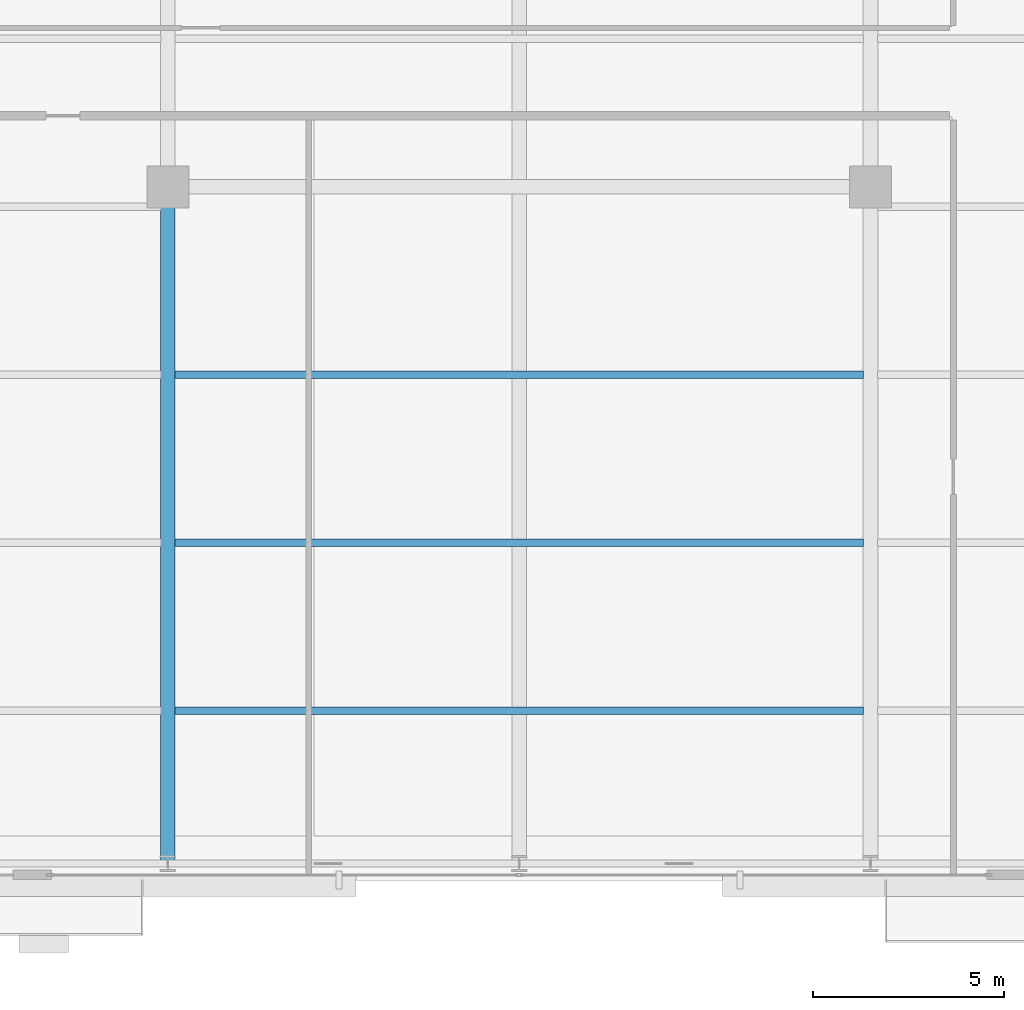
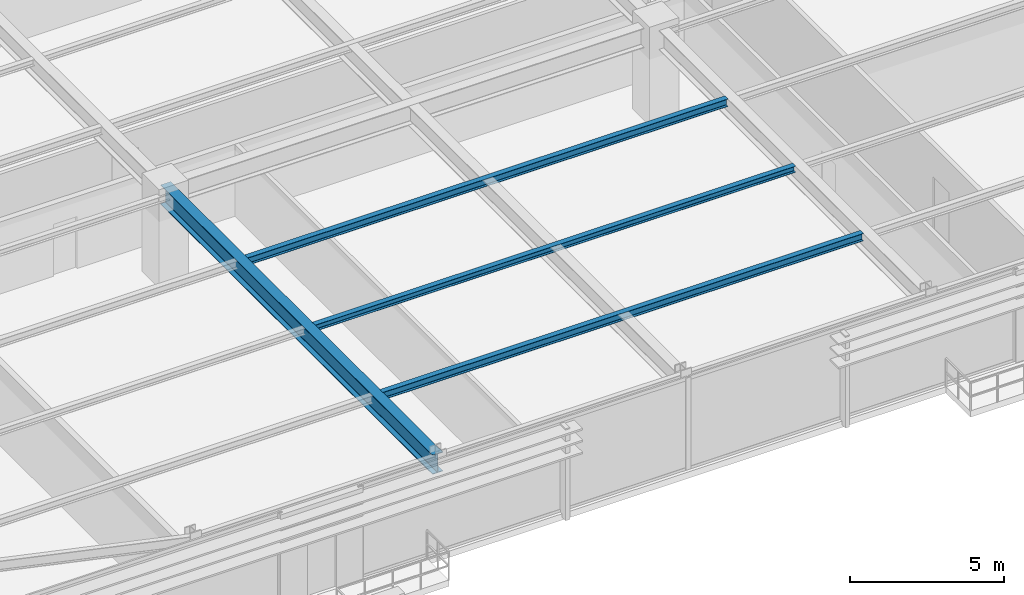
# One storey, part 7 of 31: 4 beams.
"""IFC4 building model written with IfcOpenShell, lengths in metres."""

from ifc_helpers import new_model, si_unit, direction, frame, origin, origin_2d, place, context, subcontext, project, spatial, i_section, extrude, source, transform, mapped, material, material_profile, profile_set, type_object, type_shapes, element, save


model = new_model("IFC4")

# Units and contexts
model_context = context("Model", 3, precision=1e-05, world=origin(), true_north=direction((0.0, 1.0)))
body_context = subcontext(model_context, "Body", "Model", "MODEL_VIEW")
ifc_project = project(units=[si_unit("LENGTHUNIT", "METRE"), si_unit("AREAUNIT", "SQUARE_METRE"), si_unit("VOLUMEUNIT", "CUBIC_METRE"), si_unit("PLANEANGLEUNIT", "RADIAN"), si_unit("MASSUNIT", "GRAM", prefix="KILO")], contexts=[model_context])

# Site, building, storey
site_placement = place(None, origin())
site = spatial("IfcSite", under=ifc_project, at=site_placement, CompositionType="ELEMENT")
building_placement = place(site_placement, origin())
building = spatial("IfcBuilding", under=site, at=building_placement, Name="Varnel Quay Broadcast Tower", CompositionType="ELEMENT")
storey_placement = place(building_placement, frame((0.0, 0.0, 51.0)))
storey = spatial("IfcBuildingStorey", under=building, at=storey_placement, Name="L11", CompositionType="ELEMENT", Elevation=51.0)

# Beams
ifc_material = material(Name="Structural Steel CSA G40.21 350W", Category="steel")
ifc_material_profile_1 = material_profile(ifc_material, i_section(OverallWidth=0.381103515625, OverallDepth=0.77294921875, WebThickness=0.0166015625, FlangeThickness=0.027587890625, FilletRadius=0.01806640625, at=origin_2d()), Name="W760X257")
ifc_profile_set_1 = profile_set([ifc_material_profile_1], Name="Structural Steel CSA G40.21 350W")
beam_type_1 = type_object("IfcBeamType", Name="Girder_W760X257", PredefinedType="BEAM", material=ifc_profile_set_1)
shared_shape_1 = source(origin(), body_context, "Body", "SweptSolid", [
    extrude(i_section(OverallWidth=0.381103515625, OverallDepth=0.77294921875, WebThickness=0.0166015625, FlangeThickness=0.027587890625, FilletRadius=0.01806640625, at=origin_2d()), origin(), (0.0, 0.0, 1.0), 17.68017578125),
])
type_shapes(beam_type_1, [shared_shape_1])
beam_1_placement = place(storey_placement, frame((24.800048828125, 1.669921875, 3.263427734375), z_axis=(0.0, 1.0, 0.0), x_axis=(-1.0, 0.0, 0.0)))
element("IfcBeam", 1, at=beam_1_placement, inside=storey, type_object=beam_type_1, Name="L11 Primary Girder TC-S2-IC-01", PredefinedType="BEAM", context=body_context, shape_type="MappedRepresentation", body=[
    mapped(shared_shape_1, transform((0.0, 0.0, 0.0), x_axis=(1.0, 0.0, 0.0), y_axis=(0.0, 1.0, 0.0), z_axis=(0.0, 0.0, 1.0), scale=1.0)),
])
ifc_material_profile_2 = material_profile(ifc_material, i_section(OverallWidth=0.202880859375, OverallDepth=0.302978515625, WebThickness=0.007568359375, FlangeThickness=0.01318359375, FilletRadius=0.011962890625, at=origin_2d()), Name="W310X60")
ifc_profile_set_2 = profile_set([ifc_material_profile_2], Name="Structural Steel CSA G40.21 350W")
beam_type_2 = type_object("IfcBeamType", Name="Beam_W310X60", PredefinedType="JOIST", material=ifc_profile_set_2)
shared_shape_2 = source(origin(), body_context, "Body", "SweptSolid", [
    extrude(i_section(OverallWidth=0.202880859375, OverallDepth=0.302978515625, WebThickness=0.007568359375, FlangeThickness=0.01318359375, FilletRadius=0.011962890625, at=origin_2d()), origin(), (0.0, 0.0, 1.0), 18.02880859375),
])
type_shapes(beam_type_2, [shared_shape_2])
for number, where, z_axis, x_axis, name in (
    (2, (24.985595703125, 5.64990234375, 3.49853515625), (1.0, 0.0, 0.0), (0.0, 1.0, 0.0), "L11 Central Floor Joist 1"),
    (3, (24.985595703125, 14.449951171875, 3.49853515625), (1.0, 0.0, 0.0), (0.0, 1.0, 0.0), "L11 Central Floor Joist 3"),
):
    element("IfcBeam", number, at=place(storey_placement, frame(where, z_axis=z_axis, x_axis=x_axis)), inside=storey, type_object=beam_type_2, Name=name, PredefinedType="JOIST", context=body_context, shape_type="MappedRepresentation", body=[
        mapped(shared_shape_2, transform((0.0, 0.0, 0.0), x_axis=(1.0, 0.0, 0.0), y_axis=(0.0, 1.0, 0.0), z_axis=(0.0, 0.0, 1.0), scale=1.0)),
    ])
ifc_material_profile_3 = material_profile(ifc_material, i_section(OverallWidth=0.201904296875, OverallDepth=0.2470703125, WebThickness=0.00732421875, FlangeThickness=0.010986328125, FilletRadius=0.010986328125, at=origin_2d()), Name="W250X49")
ifc_profile_set_3 = profile_set([ifc_material_profile_3], Name="Structural Steel CSA G40.21 350W")
beam_type_3 = type_object("IfcBeamType", Name="Beam_W250X49", PredefinedType="JOIST", material=ifc_profile_set_3)
shared_shape_3 = source(origin(), body_context, "Body", "SweptSolid", [
    extrude(i_section(OverallWidth=0.201904296875, OverallDepth=0.2470703125, WebThickness=0.00732421875, FlangeThickness=0.010986328125, FilletRadius=0.010986328125, at=origin_2d()), origin(), (0.0, 0.0, 1.0), 18.02880859375),
])
type_shapes(beam_type_3, [shared_shape_3])
beam_2_placement = place(storey_placement, frame((24.985595703125, 10.050048828125, 3.526611328125), z_axis=(1.0, 0.0, 0.0), x_axis=(0.0, 1.0, 0.0)))
element("IfcBeam", 4, at=beam_2_placement, inside=storey, type_object=beam_type_3, Name="L11 Central Floor Joist 2", PredefinedType="JOIST", context=body_context, shape_type="MappedRepresentation", body=[
    mapped(shared_shape_3, transform((0.0, 0.0, 0.0), x_axis=(1.0, 0.0, 0.0), y_axis=(0.0, 1.0, 0.0), z_axis=(0.0, 0.0, 1.0), scale=1.0)),
])

save(model, "model.ifc")
